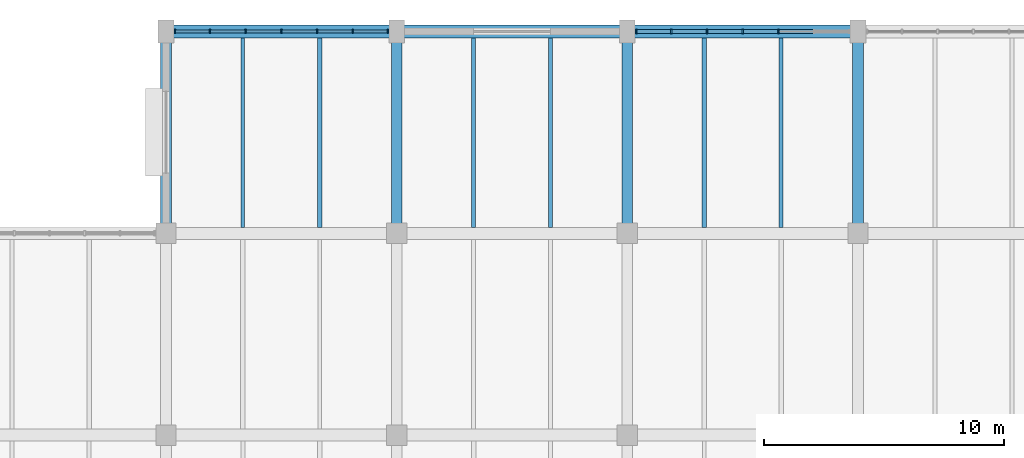
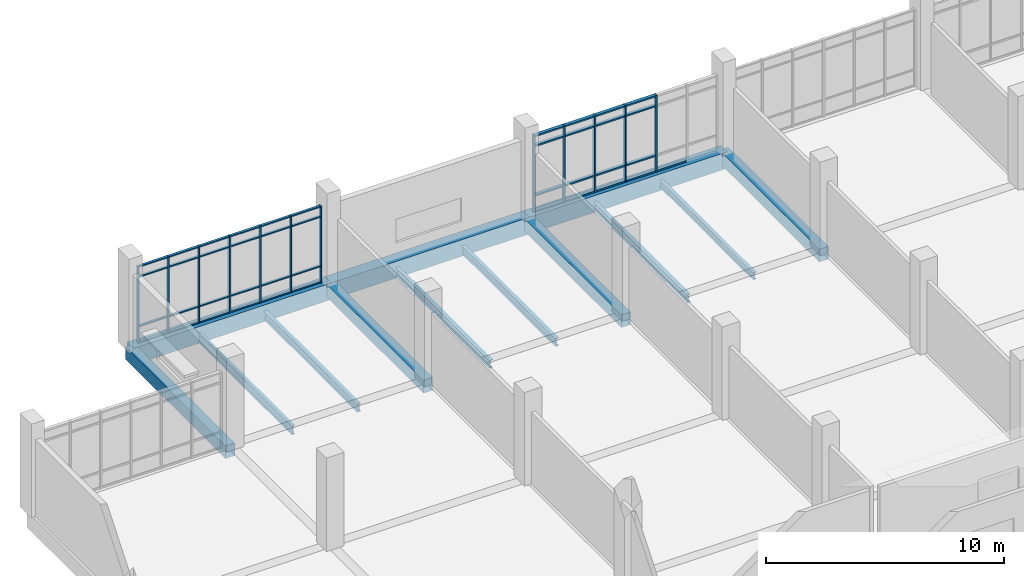
# One storey, part 78 of 152: 53 members, 13 beams, 2 elements without a shape of their own.
"""IFC4 building model written with IfcOpenShell, lengths in metres."""

from ifc_helpers import new_model, si_unit, direction, frame, origin, origin_2d, place, context, subcontext, project, spatial, rectangle, i_section, extrude, material, material_profile, profile_set, type_object, element, aggregate, save


model = new_model("IFC4")

# Units and contexts
model_context = context("Model", 3, precision=1e-05, world=origin(), true_north=direction((0.0, 1.0)))
body_context = subcontext(model_context, "Body", "Model", "MODEL_VIEW")
ifc_project = project(units=[si_unit("LENGTHUNIT", "METRE"), si_unit("AREAUNIT", "SQUARE_METRE"), si_unit("VOLUMEUNIT", "CUBIC_METRE"), si_unit("PLANEANGLEUNIT", "RADIAN"), si_unit("MASSUNIT", "GRAM", prefix="KILO")], contexts=[model_context])

# Site, building, storey
site_placement = place(None, origin())
site = spatial("IfcSite", under=ifc_project, at=site_placement, CompositionType="ELEMENT")
building_placement = place(site_placement, origin())
building = spatial("IfcBuilding", under=site, at=building_placement, Name="Oolite Switchyard Hospital", CompositionType="ELEMENT")
storey_placement = place(building_placement, frame((0.0, 0.0, 5.10009765625)))
storey = spatial("IfcBuildingStorey", under=building, at=storey_placement, Name="L01", CompositionType="ELEMENT", Elevation=5.10009765625)

# Beams
ifc_material_1 = material(Name="Concrete C40/50", Category="concrete")
ifc_material_profile_1 = material_profile(ifc_material_1, rectangle(XDim=0.449951171875, YDim=0.64990234375, at=origin_2d()), Name="RCB450X650")
ifc_profile_set_1 = profile_set([ifc_material_profile_1], Name="Concrete C40/50")
beam_type_1 = type_object("IfcBeamType", Name="BM-RC450X650", PredefinedType="BEAM", material=ifc_profile_set_1)
for number, where, z_axis, x_axis, name in (
    (1, (9.60009765625, 126.0, -0.3251953125), (0.0, 1.0, 0.0), (-1.0, 0.0, 0.0), "L01 Y-Girder 317"),
    (2, (19.199951171875, 126.0, -0.3251953125), (0.0, 1.0, 0.0), (-1.0, 0.0, 0.0), "L01 Y-Girder 333"),
    (3, (28.800048828125, 126.0, -0.3251953125), (0.0, 1.0, 0.0), (-1.0, 0.0, 0.0), "L01 Y-Girder 349"),
    (4, (38.39990234375, 126.0, -0.3251953125), (0.0, 1.0, 0.0), (-1.0, 0.0, 0.0), "L01 Y-Girder 365"),
):
    element("IfcBeam", number, at=place(storey_placement, frame(where, z_axis=z_axis, x_axis=x_axis)), inside=storey, type_object=beam_type_1, Name=name, PredefinedType="BEAM", context=body_context, shape_type="SweptSolid", body=[
        extrude(rectangle(XDim=0.449951171875, YDim=0.64990234375, at=origin_2d()), origin(), (0.0, 0.0, 1.0), 8.39990234375),
    ])
ifc_material_profile_2 = material_profile(ifc_material_1, rectangle(XDim=0.550048828125, YDim=0.85009765625, at=origin_2d()), Name="RCB550X850")
ifc_profile_set_2 = profile_set([ifc_material_profile_2], Name="Concrete C40/50")
beam_type_2 = type_object("IfcBeamType", Name="BM-RC550X850", PredefinedType="BEAM", material=ifc_profile_set_2)
beam_1_placement = place(storey_placement, frame((9.60009765625, 134.39990234375, -0.425048828125), z_axis=(1.0, 0.0, 0.0), x_axis=(0.0, 1.0, 0.0)))
element("IfcBeam", 5, at=beam_1_placement, inside=storey, type_object=beam_type_2, Name="L01 X-Girder 271", PredefinedType="BEAM", context=body_context, shape_type="SweptSolid", body=[
    extrude(rectangle(XDim=0.550048828125, YDim=0.85009765625, at=origin_2d()), origin(), (0.0, 0.0, 1.0), 9.599853515625),
])
beam_2_placement = place(storey_placement, frame((19.199951171875, 134.39990234375, -0.425048828125), z_axis=(1.0, 0.0, 0.0), x_axis=(0.0, 1.0, 0.0)))
element("IfcBeam", 6, at=beam_2_placement, inside=storey, type_object=beam_type_2, Name="L01 X-Girder 272", PredefinedType="BEAM", context=body_context, shape_type="SweptSolid", body=[
    extrude(rectangle(XDim=0.550048828125, YDim=0.85009765625, at=origin_2d()), origin(), (0.0, 0.0, 1.0), 9.60009765625),
])
beam_3_placement = place(storey_placement, frame((28.800048828125, 134.39990234375, -0.425048828125), z_axis=(1.0, 0.0, 0.0), x_axis=(0.0, 1.0, 0.0)))
element("IfcBeam", 7, at=beam_3_placement, inside=storey, type_object=beam_type_2, Name="L01 X-Girder 273", PredefinedType="BEAM", context=body_context, shape_type="SweptSolid", body=[
    extrude(rectangle(XDim=0.550048828125, YDim=0.85009765625, at=origin_2d()), origin(), (0.0, 0.0, 1.0), 9.599853515625),
])
ifc_material_2 = material(Name="Steel ASTM A992 Grade 50", Category="steel")
ifc_material_profile_3 = material_profile(ifc_material_2, i_section(OverallWidth=0.1708984375, OverallDepth=0.35107421875, WebThickness=0.007080078125, FlangeThickness=0.010009765625, at=origin_2d()), Name="W14X30")
ifc_profile_set_3 = profile_set([ifc_material_profile_3], Name="Steel ASTM A992 Grade 50")
beam_type_3 = type_object("IfcBeamType", Name="BM-W14X30", PredefinedType="JOIST", material=ifc_profile_set_3)
beam_4_placement = place(storey_placement, frame((35.199951171875, 126.25, -0.47607421875), z_axis=(0.0, 1.0, 0.0), x_axis=(-1.0, 0.0, 0.0)))
element("IfcBeam", 8, at=beam_4_placement, inside=storey, type_object=beam_type_3, Name="L01 Secondary Steel Joist 681", PredefinedType="JOIST", context=body_context, shape_type="SweptSolid", body=[
    extrude(i_section(OverallWidth=0.1708984375, OverallDepth=0.35107421875, WebThickness=0.007080078125, FlangeThickness=0.010009765625, at=origin_2d()), origin(), (0.0, 0.0, 1.0), 7.875),
])
ifc_material_profile_4 = material_profile(ifc_material_2, i_section(OverallWidth=0.177978515625, OverallDepth=0.403076171875, WebThickness=0.008056640625, FlangeThickness=0.010986328125, at=origin_2d()), Name="W16X36")
ifc_profile_set_4 = profile_set([ifc_material_profile_4], Name="Steel ASTM A992 Grade 50")
beam_type_4 = type_object("IfcBeamType", Name="BM-W16X36", PredefinedType="JOIST", material=ifc_profile_set_4)
for number, where, z_axis, x_axis, name in (
    (9, (25.60009765625, 126.25, -0.502197265625), (0.0, 1.0, 0.0), (-1.0, 0.0, 0.0), "L01 Secondary Steel Joist 649"),
    (10, (32.0, 126.25, -0.502197265625), (0.0, 1.0, 0.0), (-1.0, 0.0, 0.0), "L01 Secondary Steel Joist 680"),
):
    element("IfcBeam", number, at=place(storey_placement, frame(where, z_axis=z_axis, x_axis=x_axis)), inside=storey, type_object=beam_type_4, Name=name, PredefinedType="JOIST", context=body_context, shape_type="SweptSolid", body=[
        extrude(i_section(OverallWidth=0.177978515625, OverallDepth=0.403076171875, WebThickness=0.008056640625, FlangeThickness=0.010986328125, at=origin_2d()), origin(), (0.0, 0.0, 1.0), 7.875),
    ])
ifc_material_profile_5 = material_profile(ifc_material_2, i_section(OverallWidth=0.179931640625, OverallDepth=0.4130859375, WebThickness=0.010009765625, FlangeThickness=0.01611328125, at=origin_2d()), Name="W16X50")
ifc_profile_set_5 = profile_set([ifc_material_profile_5], Name="Steel ASTM A992 Grade 50")
beam_type_5 = type_object("IfcBeamType", Name="BM-W16X50", PredefinedType="JOIST", material=ifc_profile_set_5)
for number, where, z_axis, x_axis, name in (
    (11, (16.0, 126.25, -0.506103515625), (0.0, 1.0, 0.0), (-1.0, 0.0, 0.0), "L01 Secondary Steel Joist 621"),
    (12, (22.39990234375, 126.25, -0.506103515625), (0.0, 1.0, 0.0), (-1.0, 0.0, 0.0), "L01 Secondary Steel Joist 648"),
):
    element("IfcBeam", number, at=place(storey_placement, frame(where, z_axis=z_axis, x_axis=x_axis)), inside=storey, type_object=beam_type_5, Name=name, PredefinedType="JOIST", context=body_context, shape_type="SweptSolid", body=[
        extrude(i_section(OverallWidth=0.179931640625, OverallDepth=0.4130859375, WebThickness=0.010009765625, FlangeThickness=0.01611328125, at=origin_2d()), origin(), (0.0, 0.0, 1.0), 7.875),
    ])
ifc_material_profile_6 = material_profile(ifc_material_2, i_section(OverallWidth=0.153076171875, OverallDepth=0.455078125, WebThickness=0.008056640625, FlangeThickness=0.012939453125, at=origin_2d()), Name="W18X40")
ifc_profile_set_6 = profile_set([ifc_material_profile_6], Name="Steel ASTM A992 Grade 50")
beam_type_6 = type_object("IfcBeamType", Name="BM-W18X40", PredefinedType="JOIST", material=ifc_profile_set_6)
beam_5_placement = place(storey_placement, frame((12.800048828125, 126.25, -0.528076171875), z_axis=(0.0, 1.0, 0.0), x_axis=(-1.0, 0.0, 0.0)))
element("IfcBeam", 13, at=beam_5_placement, inside=storey, type_object=beam_type_6, Name="L01 Secondary Steel Joist 620", PredefinedType="JOIST", context=body_context, shape_type="SweptSolid", body=[
    extrude(i_section(OverallWidth=0.153076171875, OverallDepth=0.455078125, WebThickness=0.008056640625, FlangeThickness=0.012939453125, at=origin_2d()), origin(), (0.0, 0.0, 1.0), 7.875),
])

# Curtain wall, members
ifc_material_3 = material(Name="Thermally broken aluminum frame with laminated impact glazing", Category="aluminium")
curtain_wall_type = type_object("IfcCurtainWallType", Name="CW-UNIT-96X48", PredefinedType="USERDEFINED", material=ifc_material_3)
curtain_wall_1_placement = place(storey_placement, origin())
curtain_wall_1 = element("IfcCurtainWall", 14, at=curtain_wall_1_placement, inside=storey, type_object=curtain_wall_type, Name="L01 Unitised Curtain Wall 152", ObjectType="UNITISED", PredefinedType="USERDEFINED")
ifc_material_4 = material(Name="Aluminium 6063-T6", Category="aluminium")
ifc_material_profile_7 = material_profile(ifc_material_4, rectangle(XDim=0.159912109375, YDim=0.06005859375, at=origin_2d()), Name="CWM60X160")
ifc_profile_set_7 = profile_set([ifc_material_profile_7], Name="Aluminium 6063-T6")
member_type_1 = type_object("IfcMemberType", Name="CW-MUL-180", PredefinedType="MULLION", material=ifc_profile_set_7)
member_1_placement = place(storey_placement, frame((9.969970703125, 134.39990234375, 0.0), z_axis=(0.0, 0.0, 1.0), x_axis=(0.0, 1.0, 0.0)))
member_1 = element("IfcMember", 15, at=member_1_placement, type_object=member_type_1, Name="CW-02 mullion 1", PredefinedType="MULLION", context=body_context, shape_type="SweptSolid", body=[
    extrude(rectangle(XDim=0.159912109375, YDim=0.06005859375, at=origin_2d()), origin(), (0.0, 0.0, 1.0), 3.93994140625),
])
member_2_placement = place(storey_placement, frame((11.4267578125, 134.39990234375, 0.0), z_axis=(0.0, 0.0, 1.0), x_axis=(0.0, 1.0, 0.0)))
member_2 = element("IfcMember", 16, at=member_2_placement, type_object=member_type_1, Name="CW-02 mullion 2", PredefinedType="MULLION", context=body_context, shape_type="SweptSolid", body=[
    extrude(rectangle(XDim=0.159912109375, YDim=0.06005859375, at=origin_2d()), origin(), (0.0, 0.0, 1.0), 3.93994140625),
])
member_3_placement = place(storey_placement, frame((12.913330078125, 134.39990234375, 0.0), z_axis=(0.0, 0.0, 1.0), x_axis=(0.0, 1.0, 0.0)))
member_3 = element("IfcMember", 17, at=member_3_placement, type_object=member_type_1, Name="CW-02 mullion 3", PredefinedType="MULLION", context=body_context, shape_type="SweptSolid", body=[
    extrude(rectangle(XDim=0.159912109375, YDim=0.06005859375, at=origin_2d()), origin(), (0.0, 0.0, 1.0), 3.93994140625),
])
member_4_placement = place(storey_placement, frame((14.39990234375, 134.39990234375, 0.0), z_axis=(0.0, 0.0, 1.0), x_axis=(0.0, 1.0, 0.0)))
member_4 = element("IfcMember", 18, at=member_4_placement, type_object=member_type_1, Name="CW-02 mullion 4", PredefinedType="MULLION", context=body_context, shape_type="SweptSolid", body=[
    extrude(rectangle(XDim=0.159912109375, YDim=0.06005859375, at=origin_2d()), origin(), (0.0, 0.0, 1.0), 3.93994140625),
])
member_5_placement = place(storey_placement, frame((15.88671875, 134.39990234375, 0.0), z_axis=(0.0, 0.0, 1.0), x_axis=(0.0, 1.0, 0.0)))
member_5 = element("IfcMember", 19, at=member_5_placement, type_object=member_type_1, Name="CW-02 mullion 5", PredefinedType="MULLION", context=body_context, shape_type="SweptSolid", body=[
    extrude(rectangle(XDim=0.159912109375, YDim=0.06005859375, at=origin_2d()), origin(), (0.0, 0.0, 1.0), 3.93994140625),
])
member_6_placement = place(storey_placement, frame((17.373291015625, 134.39990234375, 0.0), z_axis=(0.0, 0.0, 1.0), x_axis=(0.0, 1.0, 0.0)))
member_6 = element("IfcMember", 20, at=member_6_placement, type_object=member_type_1, Name="CW-02 mullion 6", PredefinedType="MULLION", context=body_context, shape_type="SweptSolid", body=[
    extrude(rectangle(XDim=0.159912109375, YDim=0.06005859375, at=origin_2d()), origin(), (0.0, 0.0, 1.0), 3.93994140625),
])
member_7_placement = place(storey_placement, frame((18.830078125, 134.39990234375, 0.0), z_axis=(0.0, 0.0, 1.0), x_axis=(0.0, 1.0, 0.0)))
member_7 = element("IfcMember", 21, at=member_7_placement, type_object=member_type_1, Name="CW-02 mullion 7", PredefinedType="MULLION", context=body_context, shape_type="SweptSolid", body=[
    extrude(rectangle(XDim=0.159912109375, YDim=0.06005859375, at=origin_2d()), origin(), (0.0, 0.0, 1.0), 3.93994140625),
])

curtain_wall_2_placement = place(storey_placement, origin())
curtain_wall_2 = element("IfcCurtainWall", 22, at=curtain_wall_2_placement, inside=storey, type_object=curtain_wall_type, Name="L01 Unitised Curtain Wall 153", ObjectType="UNITISED", PredefinedType="USERDEFINED")
ifc_material_profile_8 = material_profile(ifc_material_4, rectangle(XDim=0.179931640625, YDim=0.070068359375, at=origin_2d()), Name="CWM70X180")
ifc_profile_set_8 = profile_set([ifc_material_profile_8], Name="Aluminium 6063-T6")
member_type_2 = type_object("IfcMemberType", Name="CW-MUL-220", PredefinedType="MULLION", material=ifc_profile_set_8)
member_8_placement = place(storey_placement, frame((29.175048828125, 134.39990234375, 0.0), z_axis=(0.0, 0.0, 1.0), x_axis=(0.0, 1.0, 0.0)))
member_8 = element("IfcMember", 23, at=member_8_placement, type_object=member_type_2, Name="CW-02 mullion 1", PredefinedType="MULLION", context=body_context, shape_type="SweptSolid", body=[
    extrude(rectangle(XDim=0.179931640625, YDim=0.070068359375, at=origin_2d()), origin(), (0.0, 0.0, 1.0), 3.93994140625),
])
member_9_placement = place(storey_placement, frame((30.626708984375, 134.39990234375, 0.0), z_axis=(0.0, 0.0, 1.0), x_axis=(0.0, 1.0, 0.0)))
member_9 = element("IfcMember", 24, at=member_9_placement, type_object=member_type_2, Name="CW-02 mullion 2", PredefinedType="MULLION", context=body_context, shape_type="SweptSolid", body=[
    extrude(rectangle(XDim=0.179931640625, YDim=0.070068359375, at=origin_2d()), origin(), (0.0, 0.0, 1.0), 3.93994140625),
])
member_10_placement = place(storey_placement, frame((32.11328125, 134.39990234375, 0.0), z_axis=(0.0, 0.0, 1.0), x_axis=(0.0, 1.0, 0.0)))
member_10 = element("IfcMember", 25, at=member_10_placement, type_object=member_type_2, Name="CW-02 mullion 3", PredefinedType="MULLION", context=body_context, shape_type="SweptSolid", body=[
    extrude(rectangle(XDim=0.179931640625, YDim=0.070068359375, at=origin_2d()), origin(), (0.0, 0.0, 1.0), 3.93994140625),
])
member_11_placement = place(storey_placement, frame((33.60009765625, 134.39990234375, 0.0), z_axis=(0.0, 0.0, 1.0), x_axis=(0.0, 1.0, 0.0)))
member_11 = element("IfcMember", 26, at=member_11_placement, type_object=member_type_2, Name="CW-02 mullion 4", PredefinedType="MULLION", context=body_context, shape_type="SweptSolid", body=[
    extrude(rectangle(XDim=0.179931640625, YDim=0.070068359375, at=origin_2d()), origin(), (0.0, 0.0, 1.0), 3.93994140625),
])
member_12_placement = place(storey_placement, frame((35.086669921875, 134.39990234375, 0.0), z_axis=(0.0, 0.0, 1.0), x_axis=(0.0, 1.0, 0.0)))
member_12 = element("IfcMember", 27, at=member_12_placement, type_object=member_type_2, Name="CW-02 mullion 5", PredefinedType="MULLION", context=body_context, shape_type="SweptSolid", body=[
    extrude(rectangle(XDim=0.179931640625, YDim=0.070068359375, at=origin_2d()), origin(), (0.0, 0.0, 1.0), 3.93994140625),
])

# Member
ifc_material_profile_9 = material_profile(ifc_material_4, rectangle(XDim=0.1201171875, YDim=0.06005859375, at=origin_2d()), Name="CWT60X120")
ifc_profile_set_9 = profile_set([ifc_material_profile_9], Name="Aluminium 6063-T6")
member_type_3 = type_object("IfcMemberType", Name="CW-TRN-150", PredefinedType="USERDEFINED", material=ifc_profile_set_9)
member_13_placement = place(storey_placement, frame((10.0, 134.39990234375, 0.02978515625), z_axis=(1.0, 0.0, 0.0), x_axis=(0.0, 1.0, 0.0)))
member_13 = element("IfcMember", 28, at=member_13_placement, type_object=member_type_3, Name="CW-02 transom 1.1", ObjectType="TRANSOM", PredefinedType="USERDEFINED", context=body_context, shape_type="SweptSolid", body=[
    extrude(rectangle(XDim=0.1201171875, YDim=0.06005859375, at=origin_2d()), origin(), (0.0, 0.0, 1.0), 1.396728515625),
])

member_14_placement = place(storey_placement, frame((10.0, 134.39990234375, 0.849853515625), z_axis=(1.0, 0.0, 0.0), x_axis=(0.0, 1.0, 0.0)))
member_14 = element("IfcMember", 29, at=member_14_placement, type_object=member_type_3, Name="CW-02 transom 1.2", ObjectType="TRANSOM", PredefinedType="USERDEFINED", context=body_context, shape_type="SweptSolid", body=[
    extrude(rectangle(XDim=0.1201171875, YDim=0.06005859375, at=origin_2d()), origin(), (0.0, 0.0, 1.0), 1.396728515625),
])

member_15_placement = place(storey_placement, frame((10.0, 134.39990234375, 3.389892578125), z_axis=(1.0, 0.0, 0.0), x_axis=(0.0, 1.0, 0.0)))
member_15 = element("IfcMember", 30, at=member_15_placement, type_object=member_type_3, Name="CW-02 transom 1.3", ObjectType="TRANSOM", PredefinedType="USERDEFINED", context=body_context, shape_type="SweptSolid", body=[
    extrude(rectangle(XDim=0.1201171875, YDim=0.06005859375, at=origin_2d()), origin(), (0.0, 0.0, 1.0), 1.396728515625),
])

member_16_placement = place(storey_placement, frame((10.0, 134.39990234375, 3.909912109375), z_axis=(1.0, 0.0, 0.0), x_axis=(0.0, 1.0, 0.0)))
member_16 = element("IfcMember", 31, at=member_16_placement, type_object=member_type_3, Name="CW-02 transom 1.4", ObjectType="TRANSOM", PredefinedType="USERDEFINED", context=body_context, shape_type="SweptSolid", body=[
    extrude(rectangle(XDim=0.1201171875, YDim=0.06005859375, at=origin_2d()), origin(), (0.0, 0.0, 1.0), 1.396728515625),
])

member_17_placement = place(storey_placement, frame((11.456787109375, 134.39990234375, 0.02978515625), z_axis=(1.0, 0.0, 0.0), x_axis=(0.0, 1.0, 0.0)))
member_17 = element("IfcMember", 32, at=member_17_placement, type_object=member_type_3, Name="CW-02 transom 2.1", ObjectType="TRANSOM", PredefinedType="USERDEFINED", context=body_context, shape_type="SweptSolid", body=[
    extrude(rectangle(XDim=0.1201171875, YDim=0.06005859375, at=origin_2d()), origin(), (0.0, 0.0, 1.0), 1.426513671875),
])

member_18_placement = place(storey_placement, frame((11.456787109375, 134.39990234375, 0.849853515625), z_axis=(1.0, 0.0, 0.0), x_axis=(0.0, 1.0, 0.0)))
member_18 = element("IfcMember", 33, at=member_18_placement, type_object=member_type_3, Name="CW-02 transom 2.2", ObjectType="TRANSOM", PredefinedType="USERDEFINED", context=body_context, shape_type="SweptSolid", body=[
    extrude(rectangle(XDim=0.1201171875, YDim=0.06005859375, at=origin_2d()), origin(), (0.0, 0.0, 1.0), 1.426513671875),
])

member_19_placement = place(storey_placement, frame((11.456787109375, 134.39990234375, 3.389892578125), z_axis=(1.0, 0.0, 0.0), x_axis=(0.0, 1.0, 0.0)))
member_19 = element("IfcMember", 34, at=member_19_placement, type_object=member_type_3, Name="CW-02 transom 2.3", ObjectType="TRANSOM", PredefinedType="USERDEFINED", context=body_context, shape_type="SweptSolid", body=[
    extrude(rectangle(XDim=0.1201171875, YDim=0.06005859375, at=origin_2d()), origin(), (0.0, 0.0, 1.0), 1.426513671875),
])

member_20_placement = place(storey_placement, frame((11.456787109375, 134.39990234375, 3.909912109375), z_axis=(1.0, 0.0, 0.0), x_axis=(0.0, 1.0, 0.0)))
member_20 = element("IfcMember", 35, at=member_20_placement, type_object=member_type_3, Name="CW-02 transom 2.4", ObjectType="TRANSOM", PredefinedType="USERDEFINED", context=body_context, shape_type="SweptSolid", body=[
    extrude(rectangle(XDim=0.1201171875, YDim=0.06005859375, at=origin_2d()), origin(), (0.0, 0.0, 1.0), 1.426513671875),
])

member_21_placement = place(storey_placement, frame((12.943359375, 134.39990234375, 0.02978515625), z_axis=(1.0, 0.0, 0.0), x_axis=(0.0, 1.0, 0.0)))
member_21 = element("IfcMember", 36, at=member_21_placement, type_object=member_type_3, Name="CW-02 transom 3.1", ObjectType="TRANSOM", PredefinedType="USERDEFINED", context=body_context, shape_type="SweptSolid", body=[
    extrude(rectangle(XDim=0.1201171875, YDim=0.06005859375, at=origin_2d()), origin(), (0.0, 0.0, 1.0), 1.4267578125),
])

member_22_placement = place(storey_placement, frame((12.943359375, 134.39990234375, 0.849853515625), z_axis=(1.0, 0.0, 0.0), x_axis=(0.0, 1.0, 0.0)))
member_22 = element("IfcMember", 37, at=member_22_placement, type_object=member_type_3, Name="CW-02 transom 3.2", ObjectType="TRANSOM", PredefinedType="USERDEFINED", context=body_context, shape_type="SweptSolid", body=[
    extrude(rectangle(XDim=0.1201171875, YDim=0.06005859375, at=origin_2d()), origin(), (0.0, 0.0, 1.0), 1.4267578125),
])

member_23_placement = place(storey_placement, frame((12.943359375, 134.39990234375, 3.389892578125), z_axis=(1.0, 0.0, 0.0), x_axis=(0.0, 1.0, 0.0)))
member_23 = element("IfcMember", 38, at=member_23_placement, type_object=member_type_3, Name="CW-02 transom 3.3", ObjectType="TRANSOM", PredefinedType="USERDEFINED", context=body_context, shape_type="SweptSolid", body=[
    extrude(rectangle(XDim=0.1201171875, YDim=0.06005859375, at=origin_2d()), origin(), (0.0, 0.0, 1.0), 1.4267578125),
])

member_24_placement = place(storey_placement, frame((12.943359375, 134.39990234375, 3.909912109375), z_axis=(1.0, 0.0, 0.0), x_axis=(0.0, 1.0, 0.0)))
member_24 = element("IfcMember", 39, at=member_24_placement, type_object=member_type_3, Name="CW-02 transom 3.4", ObjectType="TRANSOM", PredefinedType="USERDEFINED", context=body_context, shape_type="SweptSolid", body=[
    extrude(rectangle(XDim=0.1201171875, YDim=0.06005859375, at=origin_2d()), origin(), (0.0, 0.0, 1.0), 1.4267578125),
])

member_25_placement = place(storey_placement, frame((14.429931640625, 134.39990234375, 0.02978515625), z_axis=(1.0, 0.0, 0.0), x_axis=(0.0, 1.0, 0.0)))
member_25 = element("IfcMember", 40, at=member_25_placement, type_object=member_type_3, Name="CW-02 transom 4.1", ObjectType="TRANSOM", PredefinedType="USERDEFINED", context=body_context, shape_type="SweptSolid", body=[
    extrude(rectangle(XDim=0.1201171875, YDim=0.06005859375, at=origin_2d()), origin(), (0.0, 0.0, 1.0), 1.4267578125),
])

member_26_placement = place(storey_placement, frame((14.429931640625, 134.39990234375, 0.849853515625), z_axis=(1.0, 0.0, 0.0), x_axis=(0.0, 1.0, 0.0)))
member_26 = element("IfcMember", 41, at=member_26_placement, type_object=member_type_3, Name="CW-02 transom 4.2", ObjectType="TRANSOM", PredefinedType="USERDEFINED", context=body_context, shape_type="SweptSolid", body=[
    extrude(rectangle(XDim=0.1201171875, YDim=0.06005859375, at=origin_2d()), origin(), (0.0, 0.0, 1.0), 1.4267578125),
])

member_27_placement = place(storey_placement, frame((14.429931640625, 134.39990234375, 3.389892578125), z_axis=(1.0, 0.0, 0.0), x_axis=(0.0, 1.0, 0.0)))
member_27 = element("IfcMember", 42, at=member_27_placement, type_object=member_type_3, Name="CW-02 transom 4.3", ObjectType="TRANSOM", PredefinedType="USERDEFINED", context=body_context, shape_type="SweptSolid", body=[
    extrude(rectangle(XDim=0.1201171875, YDim=0.06005859375, at=origin_2d()), origin(), (0.0, 0.0, 1.0), 1.4267578125),
])

member_28_placement = place(storey_placement, frame((14.429931640625, 134.39990234375, 3.909912109375), z_axis=(1.0, 0.0, 0.0), x_axis=(0.0, 1.0, 0.0)))
member_28 = element("IfcMember", 43, at=member_28_placement, type_object=member_type_3, Name="CW-02 transom 4.4", ObjectType="TRANSOM", PredefinedType="USERDEFINED", context=body_context, shape_type="SweptSolid", body=[
    extrude(rectangle(XDim=0.1201171875, YDim=0.06005859375, at=origin_2d()), origin(), (0.0, 0.0, 1.0), 1.4267578125),
])

member_29_placement = place(storey_placement, frame((15.916748046875, 134.39990234375, 0.02978515625), z_axis=(1.0, 0.0, 0.0), x_axis=(0.0, 1.0, 0.0)))
member_29 = element("IfcMember", 44, at=member_29_placement, type_object=member_type_3, Name="CW-02 transom 5.1", ObjectType="TRANSOM", PredefinedType="USERDEFINED", context=body_context, shape_type="SweptSolid", body=[
    extrude(rectangle(XDim=0.1201171875, YDim=0.06005859375, at=origin_2d()), origin(), (0.0, 0.0, 1.0), 1.426513671875),
])

member_30_placement = place(storey_placement, frame((15.916748046875, 134.39990234375, 0.849853515625), z_axis=(1.0, 0.0, 0.0), x_axis=(0.0, 1.0, 0.0)))
member_30 = element("IfcMember", 45, at=member_30_placement, type_object=member_type_3, Name="CW-02 transom 5.2", ObjectType="TRANSOM", PredefinedType="USERDEFINED", context=body_context, shape_type="SweptSolid", body=[
    extrude(rectangle(XDim=0.1201171875, YDim=0.06005859375, at=origin_2d()), origin(), (0.0, 0.0, 1.0), 1.426513671875),
])

member_31_placement = place(storey_placement, frame((15.916748046875, 134.39990234375, 3.389892578125), z_axis=(1.0, 0.0, 0.0), x_axis=(0.0, 1.0, 0.0)))
member_31 = element("IfcMember", 46, at=member_31_placement, type_object=member_type_3, Name="CW-02 transom 5.3", ObjectType="TRANSOM", PredefinedType="USERDEFINED", context=body_context, shape_type="SweptSolid", body=[
    extrude(rectangle(XDim=0.1201171875, YDim=0.06005859375, at=origin_2d()), origin(), (0.0, 0.0, 1.0), 1.426513671875),
])

member_32_placement = place(storey_placement, frame((15.916748046875, 134.39990234375, 3.909912109375), z_axis=(1.0, 0.0, 0.0), x_axis=(0.0, 1.0, 0.0)))
member_32 = element("IfcMember", 47, at=member_32_placement, type_object=member_type_3, Name="CW-02 transom 5.4", ObjectType="TRANSOM", PredefinedType="USERDEFINED", context=body_context, shape_type="SweptSolid", body=[
    extrude(rectangle(XDim=0.1201171875, YDim=0.06005859375, at=origin_2d()), origin(), (0.0, 0.0, 1.0), 1.426513671875),
])

member_33_placement = place(storey_placement, frame((17.4033203125, 134.39990234375, 0.02978515625), z_axis=(1.0, 0.0, 0.0), x_axis=(0.0, 1.0, 0.0)))
member_33 = element("IfcMember", 48, at=member_33_placement, type_object=member_type_3, Name="CW-02 transom 6.1", ObjectType="TRANSOM", PredefinedType="USERDEFINED", context=body_context, shape_type="SweptSolid", body=[
    extrude(rectangle(XDim=0.1201171875, YDim=0.06005859375, at=origin_2d()), origin(), (0.0, 0.0, 1.0), 1.396728515625),
])

member_34_placement = place(storey_placement, frame((17.4033203125, 134.39990234375, 0.849853515625), z_axis=(1.0, 0.0, 0.0), x_axis=(0.0, 1.0, 0.0)))
member_34 = element("IfcMember", 49, at=member_34_placement, type_object=member_type_3, Name="CW-02 transom 6.2", ObjectType="TRANSOM", PredefinedType="USERDEFINED", context=body_context, shape_type="SweptSolid", body=[
    extrude(rectangle(XDim=0.1201171875, YDim=0.06005859375, at=origin_2d()), origin(), (0.0, 0.0, 1.0), 1.396728515625),
])

member_35_placement = place(storey_placement, frame((17.4033203125, 134.39990234375, 3.389892578125), z_axis=(1.0, 0.0, 0.0), x_axis=(0.0, 1.0, 0.0)))
member_35 = element("IfcMember", 50, at=member_35_placement, type_object=member_type_3, Name="CW-02 transom 6.3", ObjectType="TRANSOM", PredefinedType="USERDEFINED", context=body_context, shape_type="SweptSolid", body=[
    extrude(rectangle(XDim=0.1201171875, YDim=0.06005859375, at=origin_2d()), origin(), (0.0, 0.0, 1.0), 1.396728515625),
])

member_36_placement = place(storey_placement, frame((17.4033203125, 134.39990234375, 3.909912109375), z_axis=(1.0, 0.0, 0.0), x_axis=(0.0, 1.0, 0.0)))
member_36 = element("IfcMember", 51, at=member_36_placement, type_object=member_type_3, Name="CW-02 transom 6.4", ObjectType="TRANSOM", PredefinedType="USERDEFINED", context=body_context, shape_type="SweptSolid", body=[
    extrude(rectangle(XDim=0.1201171875, YDim=0.06005859375, at=origin_2d()), origin(), (0.0, 0.0, 1.0), 1.396728515625),
])

aggregate(curtain_wall_1, [member_1, member_2, member_3, member_4, member_5, member_6, member_7, member_13, member_14, member_15, member_16, member_17, member_18, member_19, member_20, member_21, member_22, member_23, member_24, member_25, member_26, member_27, member_28, member_29, member_30, member_31, member_32, member_33, member_34, member_35, member_36])

ifc_material_profile_10 = material_profile(ifc_material_4, rectangle(XDim=0.159912109375, YDim=0.074951171875, at=origin_2d()), Name="CWT75X160")
ifc_profile_set_10 = profile_set([ifc_material_profile_10], Name="Aluminium 6063-T6")
member_type_4 = type_object("IfcMemberType", Name="CW-TRN-180", PredefinedType="USERDEFINED", material=ifc_profile_set_10)
member_37_placement = place(storey_placement, frame((29.2099609375, 134.39990234375, 0.037353515625), z_axis=(1.0, 0.0, 0.0), x_axis=(0.0, 1.0, 0.0)))
member_37 = element("IfcMember", 52, at=member_37_placement, type_object=member_type_4, Name="CW-02 transom 1.1", ObjectType="TRANSOM", PredefinedType="USERDEFINED", context=body_context, shape_type="SweptSolid", body=[
    extrude(rectangle(XDim=0.159912109375, YDim=0.074951171875, at=origin_2d()), origin(), (0.0, 0.0, 1.0), 1.381591796875),
])

member_38_placement = place(storey_placement, frame((29.2099609375, 134.39990234375, 0.849853515625), z_axis=(1.0, 0.0, 0.0), x_axis=(0.0, 1.0, 0.0)))
member_38 = element("IfcMember", 53, at=member_38_placement, type_object=member_type_4, Name="CW-02 transom 1.2", ObjectType="TRANSOM", PredefinedType="USERDEFINED", context=body_context, shape_type="SweptSolid", body=[
    extrude(rectangle(XDim=0.159912109375, YDim=0.074951171875, at=origin_2d()), origin(), (0.0, 0.0, 1.0), 1.381591796875),
])

member_39_placement = place(storey_placement, frame((29.2099609375, 134.39990234375, 3.389892578125), z_axis=(1.0, 0.0, 0.0), x_axis=(0.0, 1.0, 0.0)))
member_39 = element("IfcMember", 54, at=member_39_placement, type_object=member_type_4, Name="CW-02 transom 1.3", ObjectType="TRANSOM", PredefinedType="USERDEFINED", context=body_context, shape_type="SweptSolid", body=[
    extrude(rectangle(XDim=0.159912109375, YDim=0.074951171875, at=origin_2d()), origin(), (0.0, 0.0, 1.0), 1.381591796875),
])

member_40_placement = place(storey_placement, frame((29.2099609375, 134.39990234375, 3.90234375), z_axis=(1.0, 0.0, 0.0), x_axis=(0.0, 1.0, 0.0)))
member_40 = element("IfcMember", 55, at=member_40_placement, type_object=member_type_4, Name="CW-02 transom 1.4", ObjectType="TRANSOM", PredefinedType="USERDEFINED", context=body_context, shape_type="SweptSolid", body=[
    extrude(rectangle(XDim=0.159912109375, YDim=0.074951171875, at=origin_2d()), origin(), (0.0, 0.0, 1.0), 1.381591796875),
])

member_41_placement = place(storey_placement, frame((30.66162109375, 134.39990234375, 0.037353515625), z_axis=(1.0, 0.0, 0.0), x_axis=(0.0, 1.0, 0.0)))
member_41 = element("IfcMember", 56, at=member_41_placement, type_object=member_type_4, Name="CW-02 transom 2.1", ObjectType="TRANSOM", PredefinedType="USERDEFINED", context=body_context, shape_type="SweptSolid", body=[
    extrude(rectangle(XDim=0.159912109375, YDim=0.074951171875, at=origin_2d()), origin(), (0.0, 0.0, 1.0), 1.416748046875),
])

member_42_placement = place(storey_placement, frame((30.66162109375, 134.39990234375, 0.849853515625), z_axis=(1.0, 0.0, 0.0), x_axis=(0.0, 1.0, 0.0)))
member_42 = element("IfcMember", 57, at=member_42_placement, type_object=member_type_4, Name="CW-02 transom 2.2", ObjectType="TRANSOM", PredefinedType="USERDEFINED", context=body_context, shape_type="SweptSolid", body=[
    extrude(rectangle(XDim=0.159912109375, YDim=0.074951171875, at=origin_2d()), origin(), (0.0, 0.0, 1.0), 1.416748046875),
])

member_43_placement = place(storey_placement, frame((30.66162109375, 134.39990234375, 3.389892578125), z_axis=(1.0, 0.0, 0.0), x_axis=(0.0, 1.0, 0.0)))
member_43 = element("IfcMember", 58, at=member_43_placement, type_object=member_type_4, Name="CW-02 transom 2.3", ObjectType="TRANSOM", PredefinedType="USERDEFINED", context=body_context, shape_type="SweptSolid", body=[
    extrude(rectangle(XDim=0.159912109375, YDim=0.074951171875, at=origin_2d()), origin(), (0.0, 0.0, 1.0), 1.416748046875),
])

member_44_placement = place(storey_placement, frame((30.66162109375, 134.39990234375, 3.90234375), z_axis=(1.0, 0.0, 0.0), x_axis=(0.0, 1.0, 0.0)))
member_44 = element("IfcMember", 59, at=member_44_placement, type_object=member_type_4, Name="CW-02 transom 2.4", ObjectType="TRANSOM", PredefinedType="USERDEFINED", context=body_context, shape_type="SweptSolid", body=[
    extrude(rectangle(XDim=0.159912109375, YDim=0.074951171875, at=origin_2d()), origin(), (0.0, 0.0, 1.0), 1.416748046875),
])

member_45_placement = place(storey_placement, frame((32.1484375, 134.39990234375, 0.037353515625), z_axis=(1.0, 0.0, 0.0), x_axis=(0.0, 1.0, 0.0)))
member_45 = element("IfcMember", 60, at=member_45_placement, type_object=member_type_4, Name="CW-02 transom 3.1", ObjectType="TRANSOM", PredefinedType="USERDEFINED", context=body_context, shape_type="SweptSolid", body=[
    extrude(rectangle(XDim=0.159912109375, YDim=0.074951171875, at=origin_2d()), origin(), (0.0, 0.0, 1.0), 1.41650390625),
])

member_46_placement = place(storey_placement, frame((32.1484375, 134.39990234375, 0.849853515625), z_axis=(1.0, 0.0, 0.0), x_axis=(0.0, 1.0, 0.0)))
member_46 = element("IfcMember", 61, at=member_46_placement, type_object=member_type_4, Name="CW-02 transom 3.2", ObjectType="TRANSOM", PredefinedType="USERDEFINED", context=body_context, shape_type="SweptSolid", body=[
    extrude(rectangle(XDim=0.159912109375, YDim=0.074951171875, at=origin_2d()), origin(), (0.0, 0.0, 1.0), 1.41650390625),
])

member_47_placement = place(storey_placement, frame((32.1484375, 134.39990234375, 3.389892578125), z_axis=(1.0, 0.0, 0.0), x_axis=(0.0, 1.0, 0.0)))
member_47 = element("IfcMember", 62, at=member_47_placement, type_object=member_type_4, Name="CW-02 transom 3.3", ObjectType="TRANSOM", PredefinedType="USERDEFINED", context=body_context, shape_type="SweptSolid", body=[
    extrude(rectangle(XDim=0.159912109375, YDim=0.074951171875, at=origin_2d()), origin(), (0.0, 0.0, 1.0), 1.41650390625),
])

member_48_placement = place(storey_placement, frame((32.1484375, 134.39990234375, 3.90234375), z_axis=(1.0, 0.0, 0.0), x_axis=(0.0, 1.0, 0.0)))
member_48 = element("IfcMember", 63, at=member_48_placement, type_object=member_type_4, Name="CW-02 transom 3.4", ObjectType="TRANSOM", PredefinedType="USERDEFINED", context=body_context, shape_type="SweptSolid", body=[
    extrude(rectangle(XDim=0.159912109375, YDim=0.074951171875, at=origin_2d()), origin(), (0.0, 0.0, 1.0), 1.41650390625),
])

member_49_placement = place(storey_placement, frame((33.635009765625, 134.39990234375, 0.037353515625), z_axis=(1.0, 0.0, 0.0), x_axis=(0.0, 1.0, 0.0)))
member_49 = element("IfcMember", 64, at=member_49_placement, type_object=member_type_4, Name="CW-02 transom 4.1", ObjectType="TRANSOM", PredefinedType="USERDEFINED", context=body_context, shape_type="SweptSolid", body=[
    extrude(rectangle(XDim=0.159912109375, YDim=0.074951171875, at=origin_2d()), origin(), (0.0, 0.0, 1.0), 1.416748046875),
])

member_50_placement = place(storey_placement, frame((33.635009765625, 134.39990234375, 0.849853515625), z_axis=(1.0, 0.0, 0.0), x_axis=(0.0, 1.0, 0.0)))
member_50 = element("IfcMember", 65, at=member_50_placement, type_object=member_type_4, Name="CW-02 transom 4.2", ObjectType="TRANSOM", PredefinedType="USERDEFINED", context=body_context, shape_type="SweptSolid", body=[
    extrude(rectangle(XDim=0.159912109375, YDim=0.074951171875, at=origin_2d()), origin(), (0.0, 0.0, 1.0), 1.416748046875),
])

member_51_placement = place(storey_placement, frame((33.635009765625, 134.39990234375, 3.389892578125), z_axis=(1.0, 0.0, 0.0), x_axis=(0.0, 1.0, 0.0)))
member_51 = element("IfcMember", 66, at=member_51_placement, type_object=member_type_4, Name="CW-02 transom 4.3", ObjectType="TRANSOM", PredefinedType="USERDEFINED", context=body_context, shape_type="SweptSolid", body=[
    extrude(rectangle(XDim=0.159912109375, YDim=0.074951171875, at=origin_2d()), origin(), (0.0, 0.0, 1.0), 1.416748046875),
])

member_52_placement = place(storey_placement, frame((33.635009765625, 134.39990234375, 3.90234375), z_axis=(1.0, 0.0, 0.0), x_axis=(0.0, 1.0, 0.0)))
member_52 = element("IfcMember", 67, at=member_52_placement, type_object=member_type_4, Name="CW-02 transom 4.4", ObjectType="TRANSOM", PredefinedType="USERDEFINED", context=body_context, shape_type="SweptSolid", body=[
    extrude(rectangle(XDim=0.159912109375, YDim=0.074951171875, at=origin_2d()), origin(), (0.0, 0.0, 1.0), 1.416748046875),
])

member_53_placement = place(storey_placement, frame((35.12158203125, 134.39990234375, 0.037353515625), z_axis=(1.0, 0.0, 0.0), x_axis=(0.0, 1.0, 0.0)))
member_53 = element("IfcMember", 68, at=member_53_placement, type_object=member_type_4, Name="CW-02 transom 5.1", ObjectType="TRANSOM", PredefinedType="USERDEFINED", context=body_context, shape_type="SweptSolid", body=[
    extrude(rectangle(XDim=0.159912109375, YDim=0.074951171875, at=origin_2d()), origin(), (0.0, 0.0, 1.0), 1.416748046875),
])

aggregate(curtain_wall_2, [member_8, member_9, member_10, member_11, member_12, member_37, member_38, member_39, member_40, member_41, member_42, member_43, member_44, member_45, member_46, member_47, member_48, member_49, member_50, member_51, member_52, member_53])

save(model, "model.ifc")
